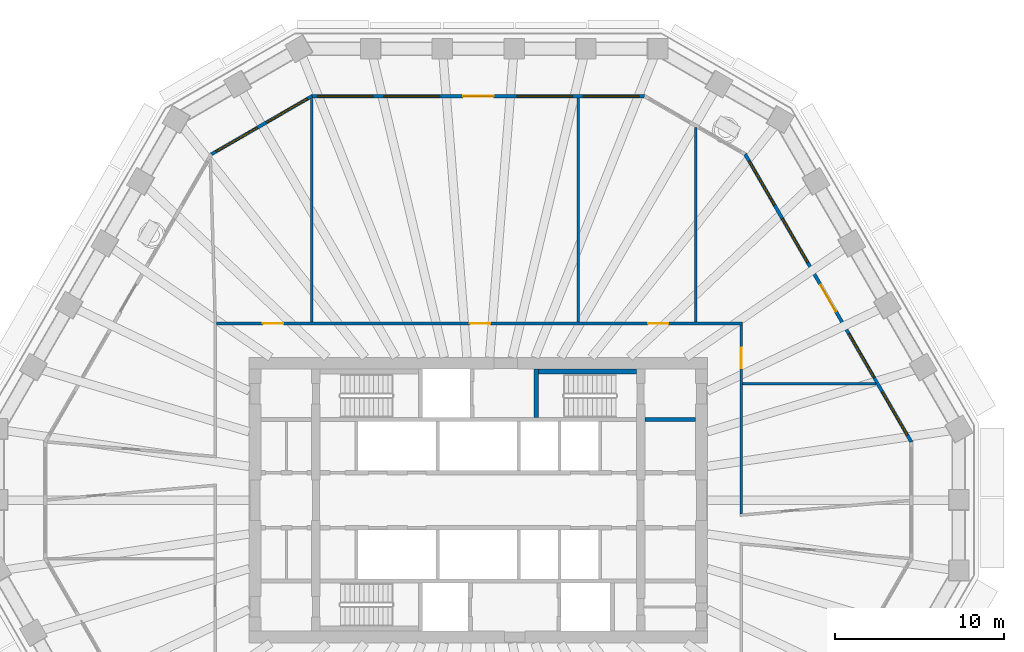
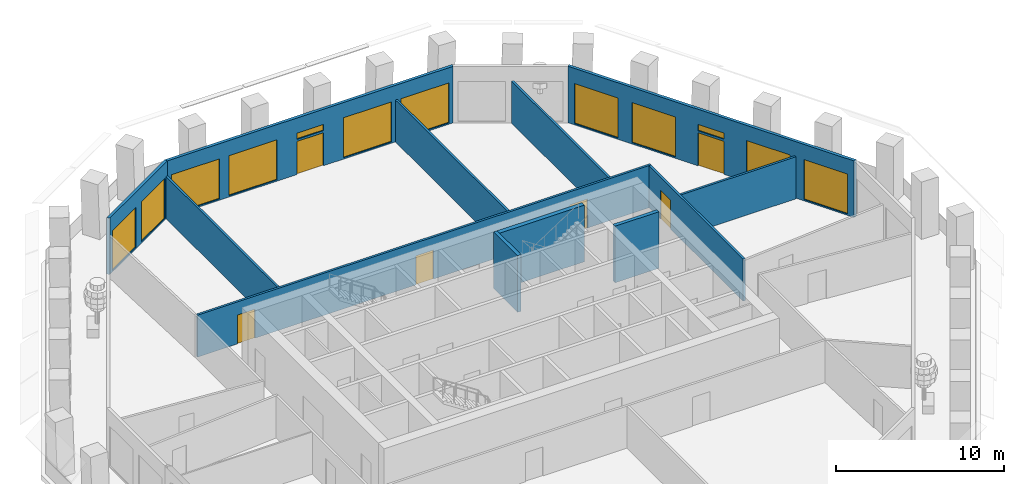
# One storey, part 7 of 12: 12 walls, 12 windows, 6 doors, 18 openings.
"""IFC4 building model written with IfcOpenShell, lengths in metres."""

from ifc_helpers import new_model, si_unit, direction, frame, frame_2d, origin, place, context, subcontext, project, spatial, polyline, rectangle, outline, extrude, material, layer, layer_set, type_object, element, fill, save


model = new_model("IFC4")

# Units and contexts
model_context = context("Model", 3, precision=1e-05, world=origin(), true_north=direction((0.0, 1.0)))
body_context = subcontext(model_context, "Body", "Model", "MODEL_VIEW")
ifc_project = project(units=[si_unit("LENGTHUNIT", "METRE"), si_unit("AREAUNIT", "SQUARE_METRE"), si_unit("VOLUMEUNIT", "CUBIC_METRE"), si_unit("PLANEANGLEUNIT", "RADIAN"), si_unit("MASSUNIT", "GRAM", prefix="KILO")], contexts=[model_context])

# Site, building, storey
site_placement = place(None, origin())
site = spatial("IfcSite", under=ifc_project, at=site_placement, CompositionType="ELEMENT")
building_placement = place(site_placement, origin())
building = spatial("IfcBuilding", under=site, at=building_placement, Name="Frailejon Research Tower", CompositionType="ELEMENT")
storey_placement = place(building_placement, frame((0.0, 0.0, 145.199951171875)))
storey = spatial("IfcBuildingStorey", under=building, at=storey_placement, Name="L31", CompositionType="ELEMENT", Elevation=145.199951171875)

# Wall, opening, door
ifc_material_1 = material(Name="Gypsum board and masonry partition", Category="masonry")
ifc_layer_1 = layer(ifc_material_1, 0.14990234375)
ifc_layer_set_1 = layer_set([ifc_layer_1], Name="Corridor wall EI 60, gypsum on steel studs 150")
wall_type_1 = type_object("IfcWallType", Name="Corridor wall EI 60, gypsum on steel studs 150", PredefinedType="PARTITIONING", material=ifc_layer_set_1)
wall_1_placement = place(storey_placement, frame((15.550048828125, -0.80712890625, 0.0), z_axis=(0.0, 0.0, 1.0), x_axis=(0.0, 1.0, 0.0)))
wall_1 = element("IfcWall", 1, at=wall_1_placement, inside=storey, type_object=wall_type_1, Name="T:IW:L31:002", PredefinedType="PARTITIONING", context=body_context, shape_type="SweptSolid", body=[
    extrude(rectangle(XDim=11.18212890625, YDim=0.14990234375, at=frame_2d((5.591064453125, 0.0))), origin(), (0.0, 0.0, 1.0), 3.050048828125),
])
opening_1_placement = place(wall_1_placement, frame((8.62060546875, 0.0, 0.0)))
opening_1 = element("IfcOpeningElement", 2, at=opening_1_placement, cuts=wall_1, Name="Opening D1696", PredefinedType="OPENING", context=body_context, shape_type="SweptSolid", body=[
    extrude(rectangle(XDim=1.199951171875, YDim=2.10009765625, at=frame_2d((0.60009765625, 1.050048828125))), frame((0.0, 0.0849609375, 0.0), z_axis=(0.0, -1.0, 0.0), x_axis=(1.0, 0.0, 0.0)), (0.0, 0.0, 1.0), 0.169921875),
])
ifc_material_2 = material(Name="Timber door leaf", Category="wood")
door_type_1 = type_object("IfcDoorType", Name="Door laboratory, timber, vision panel 1200", OperationType="NOTDEFINED", PredefinedType="DOOR", material=ifc_material_2)
door_1_placement = place(opening_1_placement, origin())
door_1 = element("IfcDoor", 3, at=door_1_placement, inside=storey, type_object=door_type_1, Name="D1696", OperationType="DOUBLE_DOOR_SINGLE_SWING", OverallHeight=2.10009765625, OverallWidth=1.199951171875, PredefinedType="DOOR", context=body_context, shape_type="SweptSolid", body=[
    extrude(rectangle(XDim=1.199951171875, YDim=2.10009765625, at=frame_2d((0.60009765625, 1.050048828125))), frame((0.0, 0.02490234375, 0.0), z_axis=(0.0, -1.0, 0.0), x_axis=(1.0, 0.0, 0.0)), (0.0, 0.0, 1.0), 0.050048828125),
])
fill(opening_1, door_1)

# Wall, openings, doors
wall_2_placement = place(storey_placement, frame((-15.47509765625, 10.449951171875, 0.0), z_axis=(0.0, 0.0, 1.0), x_axis=(1.0, 0.0, 0.0)))
wall_2 = element("IfcWall", 4, at=wall_2_placement, inside=storey, type_object=wall_type_1, Name="T:IW:L31:003", PredefinedType="PARTITIONING", context=body_context, shape_type="SweptSolid", body=[
    extrude(rectangle(XDim=31.10009765625, YDim=0.14990234375, at=frame_2d((15.550048828125, 0.0))), origin(), (0.0, 0.0, 1.0), 3.050048828125),
])
opening_2_placement = place(wall_2_placement, frame((25.520751953125, 0.0, 0.0)))
opening_2 = element("IfcOpeningElement", 5, at=opening_2_placement, cuts=wall_2, Name="Opening D1697", PredefinedType="OPENING", context=body_context, shape_type="SweptSolid", body=[
    extrude(rectangle(XDim=1.199951171875, YDim=2.10009765625, at=frame_2d((0.60009765625, 1.050048828125))), frame((0.0, 0.0849609375, 0.0), z_axis=(0.0, -1.0, 0.0), x_axis=(1.0, 0.0, 0.0)), (0.0, 0.0, 1.0), 0.169921875),
])
opening_3_placement = place(wall_2_placement, frame((14.984375, 0.0, 0.0)))
opening_3 = element("IfcOpeningElement", 6, at=opening_3_placement, cuts=wall_2, Name="Opening D1698", PredefinedType="OPENING", context=body_context, shape_type="SweptSolid", body=[
    extrude(rectangle(XDim=1.199951171875, YDim=2.10009765625, at=frame_2d((0.60009765625, 1.050048828125))), frame((0.0, 0.0849609375, 0.0), z_axis=(0.0, -1.0, 0.0), x_axis=(1.0, 0.0, 0.0)), (0.0, 0.0, 1.0), 0.169921875),
])
opening_4_placement = place(wall_2_placement, frame((2.74072265625, 0.0, 0.0)))
opening_4 = element("IfcOpeningElement", 7, at=opening_4_placement, cuts=wall_2, Name="Opening D1699", PredefinedType="OPENING", context=body_context, shape_type="SweptSolid", body=[
    extrude(rectangle(XDim=1.199951171875, YDim=2.10009765625, at=frame_2d((0.60009765625, 1.050048828125))), frame((0.0, 0.0849609375, 0.0), z_axis=(0.0, -1.0, 0.0), x_axis=(1.0, 0.0, 0.0)), (0.0, 0.0, 1.0), 0.169921875),
])
door_2_placement = place(opening_2_placement, origin())
door_2 = element("IfcDoor", 8, at=door_2_placement, inside=storey, type_object=door_type_1, Name="D1697", OperationType="DOUBLE_DOOR_SINGLE_SWING", OverallHeight=2.10009765625, OverallWidth=1.199951171875, PredefinedType="DOOR", context=body_context, shape_type="SweptSolid", body=[
    extrude(rectangle(XDim=1.199951171875, YDim=2.10009765625, at=frame_2d((0.60009765625, 1.050048828125))), frame((0.0, 0.02490234375, 0.0), z_axis=(0.0, -1.0, 0.0), x_axis=(1.0, 0.0, 0.0)), (0.0, 0.0, 1.0), 0.050048828125),
])
fill(opening_2, door_2)
door_3_placement = place(opening_3_placement, origin())
door_3 = element("IfcDoor", 9, at=door_3_placement, inside=storey, type_object=door_type_1, Name="D1698", OperationType="DOUBLE_DOOR_SINGLE_SWING", OverallHeight=2.10009765625, OverallWidth=1.199951171875, PredefinedType="DOOR", context=body_context, shape_type="SweptSolid", body=[
    extrude(rectangle(XDim=1.199951171875, YDim=2.10009765625, at=frame_2d((0.60009765625, 1.050048828125))), frame((0.0, 0.02490234375, 0.0), z_axis=(0.0, -1.0, 0.0), x_axis=(1.0, 0.0, 0.0)), (0.0, 0.0, 1.0), 0.050048828125),
])
fill(opening_3, door_3)
door_4_placement = place(opening_4_placement, origin())
door_4 = element("IfcDoor", 10, at=door_4_placement, inside=storey, type_object=door_type_1, Name="D1699", OperationType="DOUBLE_DOOR_SINGLE_SWING", OverallHeight=2.10009765625, OverallWidth=1.199951171875, PredefinedType="DOOR", context=body_context, shape_type="SweptSolid", body=[
    extrude(rectangle(XDim=1.199951171875, YDim=2.10009765625, at=frame_2d((0.60009765625, 1.050048828125))), frame((0.0, 0.02490234375, 0.0), z_axis=(0.0, -1.0, 0.0), x_axis=(1.0, 0.0, 0.0)), (0.0, 0.0, 1.0), 0.050048828125),
])
fill(opening_4, door_4)

# Walls
ifc_material_3 = material(Name="Gypsum board and masonry partition", Category="masonry")
ifc_layer_2 = layer(ifc_material_3, 0.14990234375)
ifc_layer_set_2 = layer_set([ifc_layer_2], Name="Laboratory partition, blockwork 150")
wall_type_2 = type_object("IfcWallType", Name="Laboratory partition, blockwork 150", PredefinedType="PARTITIONING", material=ifc_layer_set_2)
wall_3_placement = place(storey_placement, frame((15.625, 6.87841796875, 0.0), z_axis=(0.0, 0.0, 1.0), x_axis=(1.0, 0.0, 0.0)))
element("IfcWall", 11, at=wall_3_placement, inside=storey, type_object=wall_type_2, Name="T:IW:L31:011", PredefinedType="PARTITIONING", context=body_context, shape_type="SweptSolid", body=[
    extrude(rectangle(XDim=7.885498046875, YDim=0.14990234375, at=frame_2d((3.94287109375, 0.0))), origin(), (0.0, 0.0, 1.0), 3.050048828125),
])
wall_4_placement = place(storey_placement, frame((12.8564453125, 10.52490234375, 0.0), z_axis=(0.0, 0.0, 1.0), x_axis=(0.0, 1.0, 0.0)))
element("IfcWall", 12, at=wall_4_placement, inside=storey, type_object=wall_type_2, Name="T:IW:L31:012", PredefinedType="PARTITIONING", context=body_context, shape_type="SweptSolid", body=[
    extrude(rectangle(XDim=11.51220703125, YDim=0.14990234375, at=frame_2d((5.756103515625, 0.0))), origin(), (0.0, 0.0, 1.0), 3.050048828125),
])
wall_5_placement = place(storey_placement, frame((5.913818359375, 10.52490234375, 0.0), z_axis=(0.0, 0.0, 1.0), x_axis=(0.0, 1.0, 0.0)))
element("IfcWall", 13, at=wall_5_placement, inside=storey, type_object=wall_type_2, Name="T:IW:L31:013", PredefinedType="PARTITIONING", context=body_context, shape_type="SweptSolid", body=[
    extrude(rectangle(XDim=13.275146484375, YDim=0.14990234375, at=frame_2d((6.6376953125, 0.0))), origin(), (0.0, 0.0, 1.0), 3.050048828125),
])
wall_6_placement = place(storey_placement, frame((-9.8564453125, 10.52490234375, 0.0), z_axis=(0.0, 0.0, 1.0), x_axis=(0.0, 1.0, 0.0)))
element("IfcWall", 14, at=wall_6_placement, inside=storey, type_object=wall_type_2, Name="T:IW:L31:014", PredefinedType="PARTITIONING", context=body_context, shape_type="SweptSolid", body=[
    extrude(rectangle(XDim=13.244140625, YDim=0.14990234375, at=frame_2d((6.6220703125, 0.0))), origin(), (0.0, 0.0, 1.0), 3.050048828125),
])
ifc_material_4 = material(Name="Concrete C60/75", Category="concrete")
ifc_layer_3 = layer(ifc_material_4, 0.25)
ifc_layer_set_3 = layer_set([ifc_layer_3], Name="Shaft wall 250 C60/75")
wall_type_3 = type_object("IfcWallType", Name="Shaft wall 250 C60/75", PredefinedType="SOLIDWALL", material=ifc_layer_set_3)
wall_7_placement = place(storey_placement, frame((9.85009765625, 4.77490234375, 0.0), z_axis=(0.0, 0.0, 1.0), x_axis=(1.0, 0.0, 0.0)))
element("IfcWall", 15, at=wall_7_placement, inside=storey, type_object=wall_type_3, Name="Shaft wall", PredefinedType="SOLIDWALL", context=body_context, shape_type="SweptSolid", body=[
    extrude(rectangle(XDim=3.0, YDim=0.25, at=frame_2d((1.5, 0.0))), origin(), (0.0, 0.0, 1.0), 4.10009765625),
])
wall_8_placement = place(storey_placement, frame((3.425048828125, 4.89990234375, 0.0), z_axis=(0.0, 0.0, 1.0), x_axis=(0.0, 1.0, 0.0)))
element("IfcWall", 16, at=wall_8_placement, inside=storey, type_object=wall_type_3, Name="Shaft wall", PredefinedType="SOLIDWALL", context=body_context, shape_type="SweptSolid", body=[
    extrude(rectangle(XDim=2.85009765625, YDim=0.25, at=frame_2d((1.425048828125, 0.0))), origin(), (0.0, 0.0, 1.0), 4.10009765625),
])
ifc_material_5 = material(Name="Concrete C60/75", Category="concrete")
ifc_layer_4 = layer(ifc_material_5, 0.300048828125)
ifc_layer_set_4 = layer_set([ifc_layer_4], Name="Shaft wall 300 C60/75")
wall_type_4 = type_object("IfcWallType", Name="Shaft wall 300 C60/75", PredefinedType="SOLIDWALL", material=ifc_layer_set_4)
wall_9_placement = place(storey_placement, frame((3.550048828125, 7.60009765625, 0.0), z_axis=(0.0, 0.0, 1.0), x_axis=(1.0, 0.0, 0.0)))
element("IfcWall", 17, at=wall_9_placement, inside=storey, type_object=wall_type_4, Name="Shaft wall", PredefinedType="SOLIDWALL", context=body_context, shape_type="SweptSolid", body=[
    extrude(rectangle(XDim=5.800048828125, YDim=0.300048828125, at=frame_2d((2.89990234375, 0.0))), origin(), (0.0, 0.0, 1.0), 4.10009765625),
])

# Wall, openings, door, windows
ifc_material_6 = material(Name="Concrete C40/50 precast window wall panel", Category="concrete")
ifc_layer_5 = layer(ifc_material_6, 0.199951171875)
ifc_layer_set_5 = layer_set([ifc_layer_5], Name="Window wall 200")
wall_type_5 = type_object("IfcWallType", Name="Window wall 200", PredefinedType="SOLIDWALL", material=ifc_layer_set_5)
wall_10_placement = place(storey_placement, frame((25.61279296875, 3.437255859375, 0.0), z_axis=(0.0, 0.0, 1.0), x_axis=(-0.499999083763, 0.866025932773, 0.0)))
wall_10 = element("IfcWall", 18, at=wall_10_placement, inside=storey, type_object=wall_type_5, Name="Exterior wall L31", PredefinedType="SOLIDWALL", context=body_context, shape_type="SweptSolid", body=[
    extrude(outline(polyline([(-0.02685546875, -0.10009765625), (1.0107421875, -0.10009765625), (2.048095703125, -0.10009765625), (3.085693359375, -0.10009765625), (4.123291015625, -0.10009765625), (5.16064453125, -0.10009765625), (6.1982421875, -0.10009765625), (7.23583984375, -0.10009765625), (8.273193359375, -0.10009765625), (9.310791015625, -0.10009765625), (10.348388671875, -0.10009765625), (11.385986328125, -0.10009765625), (12.42333984375, -0.10009765625), (13.4609375, -0.10009765625), (14.49853515625, -0.10009765625), (15.535888671875, -0.10009765625), (16.573486328125, -0.10009765625), (17.611083984375, -0.10009765625), (18.6484375, -0.10009765625), (19.68603515625, -0.10009765625), (19.63232421875, 0.10009765625), (18.600341796875, 0.10009765625), (17.568603515625, 0.10009765625), (16.53662109375, 0.10009765625), (15.5048828125, 0.10009765625), (14.472900390625, 0.10009765625), (13.441162109375, 0.10009765625), (12.4091796875, 0.10009765625), (11.37744140625, 0.10009765625), (10.345458984375, 0.10009765625), (9.313720703125, 0.10009765625), (8.28173828125, 0.10009765625), (7.25, 0.10009765625), (6.218017578125, 0.10009765625), (5.186279296875, 0.10009765625), (4.154296875, 0.10009765625), (3.12255859375, 0.10009765625), (2.090576171875, 0.10009765625), (1.058837890625, 0.10009765625), (0.02685546875, 0.10009765625), (-0.02685546875, -0.10009765625)])), origin(), (0.0, 0.0, 1.0), 4.10009765625),
])
opening_5_placement = place(wall_10_placement, frame((0.4658203125, 0.0, 0.10009765625)))
opening_5 = element("IfcOpeningElement", 19, at=opening_5_placement, cuts=wall_10, Name="Opening W4", PredefinedType="OPENING", context=body_context, shape_type="SweptSolid", body=[
    extrude(rectangle(XDim=3.0, YDim=2.89990234375, at=frame_2d((1.5, 1.449951171875))), frame((0.0, 0.10986328125, 0.0), z_axis=(0.0, -1.0, 0.0), x_axis=(1.0, 0.0, 0.0)), (0.0, 0.0, 1.0), 0.219970703125),
])
opening_6_placement = place(wall_10_placement, frame((4.397705078125, 0.0, 0.10009765625)))
opening_6 = element("IfcOpeningElement", 20, at=opening_6_placement, cuts=wall_10, Name="Opening W4", PredefinedType="OPENING", context=body_context, shape_type="SweptSolid", body=[
    extrude(rectangle(XDim=3.0, YDim=2.89990234375, at=frame_2d((1.5, 1.449951171875))), frame((0.0, 0.10986328125, 0.0), z_axis=(0.0, -1.0, 0.0), x_axis=(1.0, 0.0, 0.0)), (0.0, 0.0, 1.0), 0.219970703125),
])
opening_7_placement = place(wall_10_placement, frame((8.9296875, 0.0, 0.0)))
opening_7 = element("IfcOpeningElement", 21, at=opening_7_placement, cuts=wall_10, Name="Opening LG31-1", PredefinedType="OPENING", context=body_context, shape_type="SweptSolid", body=[
    extrude(rectangle(XDim=1.800048828125, YDim=2.39990234375, at=frame_2d((0.89990234375, 1.199951171875))), frame((0.0, 0.10986328125, 0.0), z_axis=(0.0, -1.0, 0.0), x_axis=(1.0, 0.0, 0.0)), (0.0, 0.0, 1.0), 0.219970703125),
])
opening_8_placement = place(wall_10_placement, frame((8.9296875, 0.0, 2.550048828125)))
opening_8 = element("IfcOpeningElement", 22, at=opening_8_placement, cuts=wall_10, Name="Opening W1", PredefinedType="OPENING", context=body_context, shape_type="SweptSolid", body=[
    extrude(rectangle(XDim=1.800048828125, YDim=0.449951171875, at=frame_2d((0.89990234375, 0.22509765625))), frame((0.0, 0.10986328125, 0.0), z_axis=(0.0, -1.0, 0.0), x_axis=(1.0, 0.0, 0.0)), (0.0, 0.0, 1.0), 0.219970703125),
])
opening_9_placement = place(wall_10_placement, frame((12.261474609375, 0.0, 0.10009765625)))
opening_9 = element("IfcOpeningElement", 23, at=opening_9_placement, cuts=wall_10, Name="Opening W4", PredefinedType="OPENING", context=body_context, shape_type="SweptSolid", body=[
    extrude(rectangle(XDim=3.0, YDim=2.89990234375, at=frame_2d((1.5, 1.449951171875))), frame((0.0, 0.10986328125, 0.0), z_axis=(0.0, -1.0, 0.0), x_axis=(1.0, 0.0, 0.0)), (0.0, 0.0, 1.0), 0.219970703125),
])
opening_10_placement = place(wall_10_placement, frame((16.193359375, 0.0, 0.10009765625)))
opening_10 = element("IfcOpeningElement", 24, at=opening_10_placement, cuts=wall_10, Name="Opening W4", PredefinedType="OPENING", context=body_context, shape_type="SweptSolid", body=[
    extrude(rectangle(XDim=3.0, YDim=2.89990234375, at=frame_2d((1.5, 1.449951171875))), frame((0.0, 0.10986328125, 0.0), z_axis=(0.0, -1.0, 0.0), x_axis=(1.0, 0.0, 0.0)), (0.0, 0.0, 1.0), 0.219970703125),
])
ifc_material_7 = material(Name="Aluminium framed glazed door leaf", Category="aluminium")
door_type_2 = type_object("IfcDoorType", Name="Loggia door 1800x2400", OperationType="DOUBLE_DOOR_SINGLE_SWING", PredefinedType="DOOR", material=ifc_material_7)
door_5_placement = place(opening_7_placement, origin())
door_5 = element("IfcDoor", 25, at=door_5_placement, inside=storey, type_object=door_type_2, Name="Door LG31-1", OperationType="DOUBLE_DOOR_SINGLE_SWING", OverallHeight=2.39990234375, OverallWidth=1.800048828125, PredefinedType="DOOR", context=body_context, shape_type="SweptSolid", body=[
    extrude(rectangle(XDim=1.800048828125, YDim=2.39990234375, at=frame_2d((0.89990234375, 1.199951171875))), frame((0.0, 0.02490234375, 0.0), z_axis=(0.0, -1.0, 0.0), x_axis=(1.0, 0.0, 0.0)), (0.0, 0.0, 1.0), 0.050048828125),
])
fill(opening_7, door_5)
ifc_material_8 = material(Name="Aluminium framed double glazing", Category="aluminium")
window_type_1 = type_object("IfcWindowType", Name="Window 1800x450", PartitioningType="SINGLE_PANEL", PredefinedType="WINDOW", material=ifc_material_8)
window_1_placement = place(opening_8_placement, origin())
window_1 = element("IfcWindow", 26, at=window_1_placement, inside=storey, type_object=window_type_1, Name="Window L31", OverallHeight=0.449951171875, OverallWidth=1.800048828125, PartitioningType="SINGLE_PANEL", PredefinedType="WINDOW", context=body_context, shape_type="SweptSolid", body=[
    extrude(rectangle(XDim=1.800048828125, YDim=0.449951171875, at=frame_2d((0.89990234375, 0.22509765625))), frame((0.0, 0.030029296875, 0.0), z_axis=(0.0, -1.0, 0.0), x_axis=(1.0, 0.0, 0.0)), (0.0, 0.0, 1.0), 0.06005859375),
])
fill(opening_8, window_1)
ifc_material_9 = material(Name="Aluminium framed double glazing", Category="aluminium")
window_type_2 = type_object("IfcWindowType", Name="Window 3000x2900", PartitioningType="SINGLE_PANEL", PredefinedType="WINDOW", material=ifc_material_9)
window_2_placement = place(opening_5_placement, origin())
window_2 = element("IfcWindow", 27, at=window_2_placement, inside=storey, type_object=window_type_2, Name="Window L31", OverallHeight=2.89990234375, OverallWidth=3.0, PartitioningType="SINGLE_PANEL", PredefinedType="WINDOW", context=body_context, shape_type="SweptSolid", body=[
    extrude(rectangle(XDim=3.0, YDim=2.89990234375, at=frame_2d((1.5, 1.449951171875))), frame((0.0, 0.030029296875, 0.0), z_axis=(0.0, -1.0, 0.0), x_axis=(1.0, 0.0, 0.0)), (0.0, 0.0, 1.0), 0.06005859375),
])
fill(opening_5, window_2)
window_3_placement = place(opening_6_placement, origin())
window_3 = element("IfcWindow", 28, at=window_3_placement, inside=storey, type_object=window_type_2, Name="Window L31", OverallHeight=2.89990234375, OverallWidth=3.0, PartitioningType="SINGLE_PANEL", PredefinedType="WINDOW", context=body_context, shape_type="SweptSolid", body=[
    extrude(rectangle(XDim=3.0, YDim=2.89990234375, at=frame_2d((1.5, 1.449951171875))), frame((0.0, 0.030029296875, 0.0), z_axis=(0.0, -1.0, 0.0), x_axis=(1.0, 0.0, 0.0)), (0.0, 0.0, 1.0), 0.06005859375),
])
fill(opening_6, window_3)
window_4_placement = place(opening_9_placement, origin())
window_4 = element("IfcWindow", 29, at=window_4_placement, inside=storey, type_object=window_type_2, Name="Window L31", OverallHeight=2.89990234375, OverallWidth=3.0, PartitioningType="SINGLE_PANEL", PredefinedType="WINDOW", context=body_context, shape_type="SweptSolid", body=[
    extrude(rectangle(XDim=3.0, YDim=2.89990234375, at=frame_2d((1.5, 1.449951171875))), frame((0.0, 0.030029296875, 0.0), z_axis=(0.0, -1.0, 0.0), x_axis=(1.0, 0.0, 0.0)), (0.0, 0.0, 1.0), 0.06005859375),
])
fill(opening_9, window_4)
window_5_placement = place(opening_10_placement, origin())
window_5 = element("IfcWindow", 30, at=window_5_placement, inside=storey, type_object=window_type_2, Name="Window L31", OverallHeight=2.89990234375, OverallWidth=3.0, PartitioningType="SINGLE_PANEL", PredefinedType="WINDOW", context=body_context, shape_type="SweptSolid", body=[
    extrude(rectangle(XDim=3.0, YDim=2.89990234375, at=frame_2d((1.5, 1.449951171875))), frame((0.0, 0.030029296875, 0.0), z_axis=(0.0, -1.0, 0.0), x_axis=(1.0, 0.0, 0.0)), (0.0, 0.0, 1.0), 0.06005859375),
])
fill(opening_10, window_5)

wall_11_placement = place(storey_placement, frame((9.82958984375, 23.89990234375, 0.0), z_axis=(0.0, 0.0, 1.0), x_axis=(-1.0, 0.0, 0.0)))
wall_11 = element("IfcWall", 31, at=wall_11_placement, inside=storey, type_object=wall_type_5, Name="Exterior wall L31", PredefinedType="SOLIDWALL", context=body_context, shape_type="SweptSolid", body=[
    extrude(outline(polyline([(-0.02685546875, -0.10009765625), (1.0107421875, -0.10009765625), (2.048095703125, -0.10009765625), (3.085693359375, -0.10009765625), (4.123291015625, -0.10009765625), (5.16064453125, -0.10009765625), (6.1982421875, -0.10009765625), (7.23583984375, -0.10009765625), (8.273193359375, -0.10009765625), (9.310791015625, -0.10009765625), (10.348388671875, -0.10009765625), (11.385986328125, -0.10009765625), (12.42333984375, -0.10009765625), (13.4609375, -0.10009765625), (14.49853515625, -0.10009765625), (15.535888671875, -0.10009765625), (16.573486328125, -0.10009765625), (17.611083984375, -0.10009765625), (18.6484375, -0.10009765625), (19.68603515625, -0.10009765625), (19.63232421875, 0.10009765625), (18.600341796875, 0.10009765625), (17.568603515625, 0.10009765625), (16.53662109375, 0.10009765625), (15.5048828125, 0.10009765625), (14.472900390625, 0.10009765625), (13.441162109375, 0.10009765625), (12.4091796875, 0.10009765625), (11.37744140625, 0.10009765625), (10.345458984375, 0.10009765625), (9.313720703125, 0.10009765625), (8.28173828125, 0.10009765625), (7.25, 0.10009765625), (6.218017578125, 0.10009765625), (5.186279296875, 0.10009765625), (4.154296875, 0.10009765625), (3.12255859375, 0.10009765625), (2.090576171875, 0.10009765625), (1.058837890625, 0.10009765625), (0.02685546875, 0.10009765625), (-0.02685546875, -0.10009765625)])), origin(), (0.0, 0.0, 1.0), 4.10009765625),
])
opening_11_placement = place(wall_11_placement, frame((0.31591796875, 0.0, 0.10009765625)))
opening_11 = element("IfcOpeningElement", 32, at=opening_11_placement, cuts=wall_11, Name="Opening W5", PredefinedType="OPENING", context=body_context, shape_type="SweptSolid", body=[
    extrude(rectangle(XDim=3.300048828125, YDim=2.89990234375, at=frame_2d((1.64990234375, 1.449951171875))), frame((0.0, 0.10986328125, 0.0), z_axis=(0.0, -1.0, 0.0), x_axis=(1.0, 0.0, 0.0)), (0.0, 0.0, 1.0), 0.219970703125),
])
opening_12_placement = place(wall_11_placement, frame((4.247802734375, 0.0, 0.10009765625)))
opening_12 = element("IfcOpeningElement", 33, at=opening_12_placement, cuts=wall_11, Name="Opening W5", PredefinedType="OPENING", context=body_context, shape_type="SweptSolid", body=[
    extrude(rectangle(XDim=3.300048828125, YDim=2.89990234375, at=frame_2d((1.64990234375, 1.449951171875))), frame((0.0, 0.10986328125, 0.0), z_axis=(0.0, -1.0, 0.0), x_axis=(1.0, 0.0, 0.0)), (0.0, 0.0, 1.0), 0.219970703125),
])
opening_13_placement = place(wall_11_placement, frame((8.9296875, 0.0, 0.0)))
opening_13 = element("IfcOpeningElement", 34, at=opening_13_placement, cuts=wall_11, Name="Opening LG31-2", PredefinedType="OPENING", context=body_context, shape_type="SweptSolid", body=[
    extrude(rectangle(XDim=1.800048828125, YDim=2.39990234375, at=frame_2d((0.89990234375, 1.199951171875))), frame((0.0, 0.10986328125, 0.0), z_axis=(0.0, -1.0, 0.0), x_axis=(1.0, 0.0, 0.0)), (0.0, 0.0, 1.0), 0.219970703125),
])
opening_14_placement = place(wall_11_placement, frame((8.9296875, 0.0, 2.550048828125)))
opening_14 = element("IfcOpeningElement", 35, at=opening_14_placement, cuts=wall_11, Name="Opening W1", PredefinedType="OPENING", context=body_context, shape_type="SweptSolid", body=[
    extrude(rectangle(XDim=1.800048828125, YDim=0.449951171875, at=frame_2d((0.89990234375, 0.22509765625))), frame((0.0, 0.10986328125, 0.0), z_axis=(0.0, -1.0, 0.0), x_axis=(1.0, 0.0, 0.0)), (0.0, 0.0, 1.0), 0.219970703125),
])
opening_15_placement = place(wall_11_placement, frame((12.111572265625, 0.0, 0.10009765625)))
opening_15 = element("IfcOpeningElement", 36, at=opening_15_placement, cuts=wall_11, Name="Opening W5", PredefinedType="OPENING", context=body_context, shape_type="SweptSolid", body=[
    extrude(rectangle(XDim=3.300048828125, YDim=2.89990234375, at=frame_2d((1.64990234375, 1.449951171875))), frame((0.0, 0.10986328125, 0.0), z_axis=(0.0, -1.0, 0.0), x_axis=(1.0, 0.0, 0.0)), (0.0, 0.0, 1.0), 0.219970703125),
])
opening_16_placement = place(wall_11_placement, frame((16.043212890625, 0.0, 0.10009765625)))
opening_16 = element("IfcOpeningElement", 37, at=opening_16_placement, cuts=wall_11, Name="Opening W5", PredefinedType="OPENING", context=body_context, shape_type="SweptSolid", body=[
    extrude(rectangle(XDim=3.300048828125, YDim=2.89990234375, at=frame_2d((1.64990234375, 1.449951171875))), frame((0.0, 0.10986328125, 0.0), z_axis=(0.0, -1.0, 0.0), x_axis=(1.0, 0.0, 0.0)), (0.0, 0.0, 1.0), 0.219970703125),
])
door_6_placement = place(opening_13_placement, origin())
door_6 = element("IfcDoor", 38, at=door_6_placement, inside=storey, type_object=door_type_2, Name="Door LG31-2", OperationType="DOUBLE_DOOR_SINGLE_SWING", OverallHeight=2.39990234375, OverallWidth=1.800048828125, PredefinedType="DOOR", context=body_context, shape_type="SweptSolid", body=[
    extrude(rectangle(XDim=1.800048828125, YDim=2.39990234375, at=frame_2d((0.89990234375, 1.199951171875))), frame((0.0, 0.02490234375, 0.0), z_axis=(0.0, -1.0, 0.0), x_axis=(1.0, 0.0, 0.0)), (0.0, 0.0, 1.0), 0.050048828125),
])
fill(opening_13, door_6)
window_6_placement = place(opening_14_placement, origin())
window_6 = element("IfcWindow", 39, at=window_6_placement, inside=storey, type_object=window_type_1, Name="Window L31", OverallHeight=0.449951171875, OverallWidth=1.800048828125, PartitioningType="SINGLE_PANEL", PredefinedType="WINDOW", context=body_context, shape_type="SweptSolid", body=[
    extrude(rectangle(XDim=1.800048828125, YDim=0.449951171875, at=frame_2d((0.89990234375, 0.22509765625))), frame((0.0, 0.030029296875, 0.0), z_axis=(0.0, -1.0, 0.0), x_axis=(1.0, 0.0, 0.0)), (0.0, 0.0, 1.0), 0.06005859375),
])
fill(opening_14, window_6)
ifc_material_10 = material(Name="Aluminium framed double glazing", Category="aluminium")
window_type_3 = type_object("IfcWindowType", Name="Window 3300x2900", PartitioningType="SINGLE_PANEL", PredefinedType="WINDOW", material=ifc_material_10)
window_7_placement = place(opening_11_placement, origin())
window_7 = element("IfcWindow", 40, at=window_7_placement, inside=storey, type_object=window_type_3, Name="Window L31", OverallHeight=2.89990234375, OverallWidth=3.300048828125, PartitioningType="SINGLE_PANEL", PredefinedType="WINDOW", context=body_context, shape_type="SweptSolid", body=[
    extrude(rectangle(XDim=3.300048828125, YDim=2.89990234375, at=frame_2d((1.64990234375, 1.449951171875))), frame((0.0, 0.030029296875, 0.0), z_axis=(0.0, -1.0, 0.0), x_axis=(1.0, 0.0, 0.0)), (0.0, 0.0, 1.0), 0.06005859375),
])
fill(opening_11, window_7)
window_8_placement = place(opening_12_placement, origin())
window_8 = element("IfcWindow", 41, at=window_8_placement, inside=storey, type_object=window_type_3, Name="Window L31", OverallHeight=2.89990234375, OverallWidth=3.300048828125, PartitioningType="SINGLE_PANEL", PredefinedType="WINDOW", context=body_context, shape_type="SweptSolid", body=[
    extrude(rectangle(XDim=3.300048828125, YDim=2.89990234375, at=frame_2d((1.64990234375, 1.449951171875))), frame((0.0, 0.030029296875, 0.0), z_axis=(0.0, -1.0, 0.0), x_axis=(1.0, 0.0, 0.0)), (0.0, 0.0, 1.0), 0.06005859375),
])
fill(opening_12, window_8)
window_9_placement = place(opening_15_placement, origin())
window_9 = element("IfcWindow", 42, at=window_9_placement, inside=storey, type_object=window_type_3, Name="Window L31", OverallHeight=2.89990234375, OverallWidth=3.300048828125, PartitioningType="SINGLE_PANEL", PredefinedType="WINDOW", context=body_context, shape_type="SweptSolid", body=[
    extrude(rectangle(XDim=3.300048828125, YDim=2.89990234375, at=frame_2d((1.64990234375, 1.449951171875))), frame((0.0, 0.030029296875, 0.0), z_axis=(0.0, -1.0, 0.0), x_axis=(1.0, 0.0, 0.0)), (0.0, 0.0, 1.0), 0.06005859375),
])
fill(opening_15, window_9)
window_10_placement = place(opening_16_placement, origin())
window_10 = element("IfcWindow", 43, at=window_10_placement, inside=storey, type_object=window_type_3, Name="Window L31", OverallHeight=2.89990234375, OverallWidth=3.300048828125, PartitioningType="SINGLE_PANEL", PredefinedType="WINDOW", context=body_context, shape_type="SweptSolid", body=[
    extrude(rectangle(XDim=3.300048828125, YDim=2.89990234375, at=frame_2d((1.64990234375, 1.449951171875))), frame((0.0, 0.030029296875, 0.0), z_axis=(0.0, -1.0, 0.0), x_axis=(1.0, 0.0, 0.0)), (0.0, 0.0, 1.0), 0.06005859375),
])
fill(opening_16, window_10)

# Wall, openings, windows
wall_12_placement = place(storey_placement, frame((-9.82958984375, 23.89990234375, 0.0), z_axis=(0.0, 0.0, 1.0), x_axis=(-0.866029458321, -0.49999297727, 0.0)))
wall_12 = element("IfcWall", 44, at=wall_12_placement, inside=storey, type_object=wall_type_5, Name="Exterior wall L31", PredefinedType="SOLIDWALL", context=body_context, shape_type="SweptSolid", body=[
    extrude(outline(polyline([(-0.02685546875, -0.10009765625), (1.1279296875, -0.10009765625), (2.282470703125, -0.10009765625), (3.437255859375, -0.10009765625), (4.592041015625, -0.10009765625), (5.74658203125, -0.10009765625), (6.9013671875, -0.10009765625), (6.84765625, 0.10009765625), (5.7109375, 0.10009765625), (4.573974609375, 0.10009765625), (3.437255859375, 0.10009765625), (2.300537109375, 0.10009765625), (1.16357421875, 0.10009765625), (0.02685546875, 0.10009765625), (-0.02685546875, -0.10009765625)])), origin(), (0.0, 0.0, 1.0), 4.10009765625),
])
opening_17_placement = place(wall_12_placement, frame((0.318603515625, 0.0, 0.10009765625)))
opening_17 = element("IfcOpeningElement", 45, at=opening_17_placement, cuts=wall_12, Name="Opening W3", PredefinedType="OPENING", context=body_context, shape_type="SweptSolid", body=[
    extrude(rectangle(XDim=2.800048828125, YDim=2.89990234375, at=frame_2d((1.39990234375, 1.449951171875))), frame((0.0, 0.10986328125, 0.0), z_axis=(0.0, -1.0, 0.0), x_axis=(1.0, 0.0, 0.0)), (0.0, 0.0, 1.0), 0.219970703125),
])
opening_18_placement = place(wall_12_placement, frame((3.756103515625, 0.0, 0.10009765625)))
opening_18 = element("IfcOpeningElement", 46, at=opening_18_placement, cuts=wall_12, Name="Opening W3", PredefinedType="OPENING", context=body_context, shape_type="SweptSolid", body=[
    extrude(rectangle(XDim=2.800048828125, YDim=2.89990234375, at=frame_2d((1.39990234375, 1.449951171875))), frame((0.0, 0.10986328125, 0.0), z_axis=(0.0, -1.0, 0.0), x_axis=(1.0, 0.0, 0.0)), (0.0, 0.0, 1.0), 0.219970703125),
])
ifc_material_11 = material(Name="Aluminium framed double glazing", Category="aluminium")
window_type_4 = type_object("IfcWindowType", Name="Window 2800x2900", PartitioningType="SINGLE_PANEL", PredefinedType="WINDOW", material=ifc_material_11)
window_11_placement = place(opening_17_placement, origin())
window_11 = element("IfcWindow", 47, at=window_11_placement, inside=storey, type_object=window_type_4, Name="Window L31", OverallHeight=2.89990234375, OverallWidth=2.800048828125, PartitioningType="SINGLE_PANEL", PredefinedType="WINDOW", context=body_context, shape_type="SweptSolid", body=[
    extrude(rectangle(XDim=2.800048828125, YDim=2.89990234375, at=frame_2d((1.39990234375, 1.449951171875))), frame((0.0, 0.030029296875, 0.0), z_axis=(0.0, -1.0, 0.0), x_axis=(1.0, 0.0, 0.0)), (0.0, 0.0, 1.0), 0.06005859375),
])
fill(opening_17, window_11)
window_12_placement = place(opening_18_placement, origin())
window_12 = element("IfcWindow", 48, at=window_12_placement, inside=storey, type_object=window_type_4, Name="Window L31", OverallHeight=2.89990234375, OverallWidth=2.800048828125, PartitioningType="SINGLE_PANEL", PredefinedType="WINDOW", context=body_context, shape_type="SweptSolid", body=[
    extrude(rectangle(XDim=2.800048828125, YDim=2.89990234375, at=frame_2d((1.39990234375, 1.449951171875))), frame((0.0, 0.030029296875, 0.0), z_axis=(0.0, -1.0, 0.0), x_axis=(1.0, 0.0, 0.0)), (0.0, 0.0, 1.0), 0.06005859375),
])
fill(opening_18, window_12)

save(model, "model.ifc")
